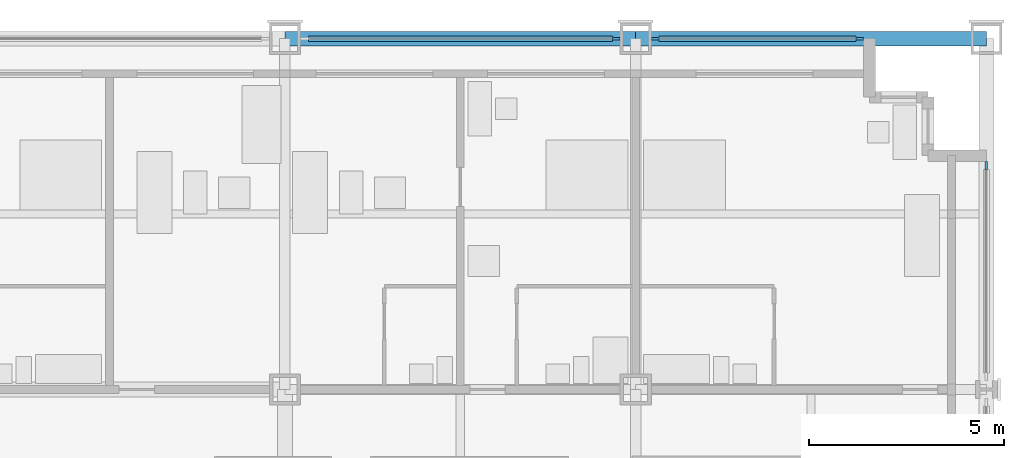
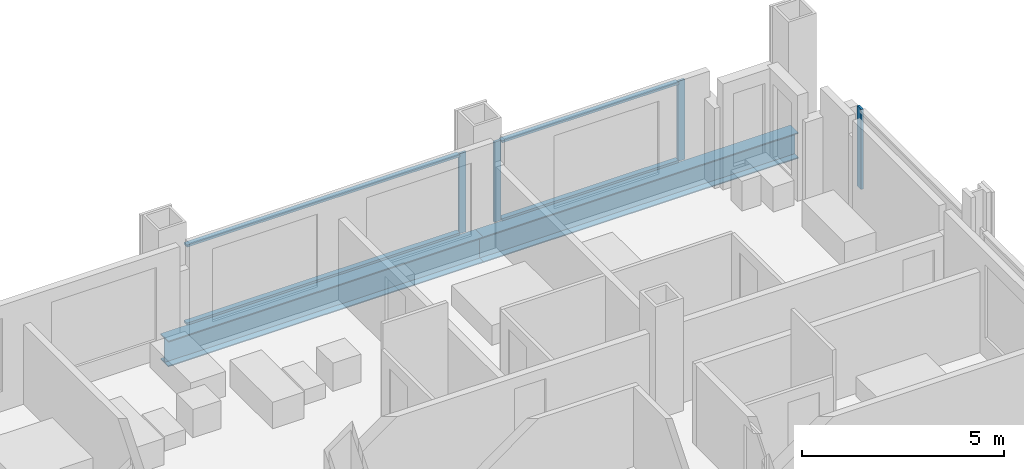
# One storey, part 8 of 18: 8 members, 2 beams, 3 elements without a shape of their own.
"""IFC4 building model written with IfcOpenShell, lengths in metres."""

from ifc_helpers import new_model, si_unit, direction, frame, origin, origin_2d, place, context, subcontext, project, spatial, rectangle, i_section, extrude, material, material_profile, profile_set, type_object, element, aggregate, save


model = new_model("IFC4")

# Units and contexts
model_context = context("Model", 3, precision=1e-05, world=origin(), true_north=direction((0.0, 1.0)))
body_context = subcontext(model_context, "Body", "Model", "MODEL_VIEW")
ifc_project = project(units=[si_unit("LENGTHUNIT", "METRE"), si_unit("AREAUNIT", "SQUARE_METRE"), si_unit("VOLUMEUNIT", "CUBIC_METRE"), si_unit("PLANEANGLEUNIT", "RADIAN"), si_unit("MASSUNIT", "GRAM", prefix="KILO")], contexts=[model_context])

# Site, building, storey
site_placement = place(None, origin())
site = spatial("IfcSite", under=ifc_project, at=site_placement, CompositionType="ELEMENT")
building_placement = place(site_placement, origin())
building = spatial("IfcBuilding", under=site, at=building_placement, Name="Loomwork Tower", CompositionType="ELEMENT")
storey_placement = place(building_placement, frame((0.0, 0.0, 79.0)))
storey = spatial("IfcBuildingStorey", under=building, at=storey_placement, Name="L20", CompositionType="ELEMENT", Elevation=79.0)

# Curtain wall, member
ifc_material_1 = material(Name="Aluminium curtain wall frame", Category="aluminium")
curtain_wall_type = type_object("IfcCurtainWallType", Name="Outer skin glazing hotel", PredefinedType="NOTDEFINED", material=ifc_material_1)
curtain_wall_1_placement = place(storey_placement, origin())
curtain_wall_1 = element("IfcCurtainWall", 1, at=curtain_wall_1_placement, inside=storey, type_object=curtain_wall_type, Name="Outer skin glazing hotel cw/N-36", PredefinedType="NOTDEFINED")
ifc_material_2 = material(Name="Aluminium curtain wall frame", Category="aluminium")
ifc_material_profile_1 = material_profile(ifc_material_2, rectangle(XDim=0.06494140625, YDim=0.199951171875, at=origin_2d()), Name="AL 65x200")
ifc_profile_set_1 = profile_set([ifc_material_profile_1], Name="Aluminium curtain wall frame")
member_type_1 = type_object("IfcMemberType", Name="Outer skin glazing hotel mullion", PredefinedType="MULLION", material=ifc_profile_set_1)
member_1_placement = place(storey_placement, frame((44.5, 36.0, 0.0), z_axis=(0.0, 0.0, 1.0), x_axis=(0.0, -1.0, 0.0)))
member_1 = element("IfcMember", 2, at=member_1_placement, type_object=member_type_1, Name="CW1 mullion 1", PredefinedType="MULLION", context=body_context, shape_type="SweptSolid", body=[
    extrude(rectangle(XDim=0.06494140625, YDim=0.199951171875, at=origin_2d()), origin(), (0.0, 0.0, 1.0), 2.420166015625),
])

# Curtain wall, members
curtain_wall_2_placement = place(storey_placement, origin())
curtain_wall_2 = element("IfcCurtainWall", 3, at=curtain_wall_2_placement, inside=storey, type_object=curtain_wall_type, Name="Outer skin glazing hotel cw/N-45", PredefinedType="NOTDEFINED")
member_2_placement = place(storey_placement, frame((50.75, 36.0, 0.0), z_axis=(0.0, 0.0, 1.0), x_axis=(0.0, -1.0, 0.0)))
member_2 = element("IfcMember", 4, at=member_2_placement, type_object=member_type_1, Name="CW1 mullion 1", PredefinedType="MULLION", context=body_context, shape_type="SweptSolid", body=[
    extrude(rectangle(XDim=0.06494140625, YDim=0.199951171875, at=origin_2d()), origin(), (0.0, 0.0, 1.0), 2.420166015625),
])
member_3_placement = place(storey_placement, frame((45.5, 36.0, 0.0), z_axis=(0.0, 0.0, 1.0), x_axis=(0.0, -1.0, 0.0)))
member_3 = element("IfcMember", 5, at=member_3_placement, type_object=member_type_1, Name="CW1 mullion 2", PredefinedType="MULLION", context=body_context, shape_type="SweptSolid", body=[
    extrude(rectangle(XDim=0.06494140625, YDim=0.199951171875, at=origin_2d()), origin(), (0.0, 0.0, 1.0), 2.420166015625),
])

# Curtain wall, member
curtain_wall_3_placement = place(storey_placement, origin())
curtain_wall_3 = element("IfcCurtainWall", 6, at=curtain_wall_3_placement, inside=storey, type_object=curtain_wall_type, Name="Outer skin glazing hotel cw/E-27", PredefinedType="NOTDEFINED")
member_4_placement = place(storey_placement, frame((54.0, 32.75, 0.0), z_axis=(0.0, 0.0, 1.0), x_axis=(-1.0, 0.0, 0.0)))
member_4 = element("IfcMember", 7, at=member_4_placement, type_object=member_type_1, Name="CW1 mullion 2", PredefinedType="MULLION", context=body_context, shape_type="SweptSolid", body=[
    extrude(rectangle(XDim=0.06494140625, YDim=0.199951171875, at=origin_2d()), origin(), (0.0, 0.0, 1.0), 2.420166015625),
])
aggregate(curtain_wall_3, [member_4])

# Member
ifc_material_3 = material(Name="Aluminium curtain wall frame", Category="aluminium")
ifc_material_profile_2 = material_profile(ifc_material_3, rectangle(XDim=0.14990234375, YDim=0.06494140625, at=origin_2d()), Name="AL 65x150")
ifc_profile_set_2 = profile_set([ifc_material_profile_2], Name="Aluminium curtain wall frame")
member_type_2 = type_object("IfcMemberType", Name="Outer skin glazing hotel transom", PredefinedType="USERDEFINED", material=ifc_profile_set_2)
member_5_placement = place(storey_placement, frame((44.39990234375, 36.0, 0.032470703125), z_axis=(-1.0, 0.0, 0.0), x_axis=(0.0, -1.0, 0.0)))
member_5 = element("IfcMember", 8, at=member_5_placement, type_object=member_type_2, Name="CW1 transom 1.1", ObjectType="TRANSOM", PredefinedType="USERDEFINED", context=body_context, shape_type="SweptSolid", body=[
    extrude(rectangle(XDim=0.14990234375, YDim=0.06494140625, at=origin_2d()), origin(), (0.0, 0.0, 1.0), 7.7998046875),
])

member_6_placement = place(storey_placement, frame((44.39990234375, 36.0, 2.3876953125), z_axis=(-1.0, 0.0, 0.0), x_axis=(0.0, -1.0, 0.0)))
member_6 = element("IfcMember", 9, at=member_6_placement, type_object=member_type_2, Name="CW1 transom 1.2", ObjectType="TRANSOM", PredefinedType="USERDEFINED", context=body_context, shape_type="SweptSolid", body=[
    extrude(rectangle(XDim=0.14990234375, YDim=0.06494140625, at=origin_2d()), origin(), (0.0, 0.0, 1.0), 7.7998046875),
])

aggregate(curtain_wall_1, [member_1, member_5, member_6])

member_7_placement = place(storey_placement, frame((50.64990234375, 36.0, 0.032470703125), z_axis=(-1.0, 0.0, 0.0), x_axis=(0.0, -1.0, 0.0)))
member_7 = element("IfcMember", 10, at=member_7_placement, type_object=member_type_2, Name="CW1 transom 1.1", ObjectType="TRANSOM", PredefinedType="USERDEFINED", context=body_context, shape_type="SweptSolid", body=[
    extrude(rectangle(XDim=0.14990234375, YDim=0.06494140625, at=origin_2d()), origin(), (0.0, 0.0, 1.0), 5.0498046875),
])

member_8_placement = place(storey_placement, frame((50.64990234375, 36.0, 2.3876953125), z_axis=(-1.0, 0.0, 0.0), x_axis=(0.0, -1.0, 0.0)))
member_8 = element("IfcMember", 11, at=member_8_placement, type_object=member_type_2, Name="CW1 transom 1.2", ObjectType="TRANSOM", PredefinedType="USERDEFINED", context=body_context, shape_type="SweptSolid", body=[
    extrude(rectangle(XDim=0.14990234375, YDim=0.06494140625, at=origin_2d()), origin(), (0.0, 0.0, 1.0), 5.0498046875),
])

aggregate(curtain_wall_2, [member_2, member_3, member_7, member_8])

# Beams
ifc_material_4 = material(Name="Steel ASTM A992", Category="steel")
ifc_material_profile_3 = material_profile(ifc_material_4, i_section(OverallWidth=0.381103515625, OverallDepth=0.77978515625, WebThickness=0.01806640625, FlangeThickness=0.0302734375, at=origin_2d()), Name="W30x191")
ifc_profile_set_3 = profile_set([ifc_material_profile_3], Name="Steel ASTM A992")
beam_type = type_object("IfcBeamType", Name="SPANDREL GIRDER W30x191", PredefinedType="SPANDREL", material=ifc_profile_set_3)
for number, where, z_axis, x_axis, name in (
    (12, (36.0, 36.0, -0.58984375), (1.0, 0.0, 0.0), (0.0, 1.0, 0.0), "Spandrel Girder H/6-H/7 L20"),
    (13, (45.0, 36.0, -0.58984375), (1.0, 0.0, 0.0), (0.0, 1.0, 0.0), "Spandrel Girder H/7-H/8 L20"),
):
    element("IfcBeam", number, at=place(storey_placement, frame(where, z_axis=z_axis, x_axis=x_axis)), inside=storey, type_object=beam_type, Name=name, PredefinedType="SPANDREL", context=body_context, shape_type="SweptSolid", body=[
        extrude(i_section(OverallWidth=0.381103515625, OverallDepth=0.77978515625, WebThickness=0.01806640625, FlangeThickness=0.0302734375, at=origin_2d()), origin(), (0.0, 0.0, 1.0), 9.0),
    ])

save(model, "model.ifc")
